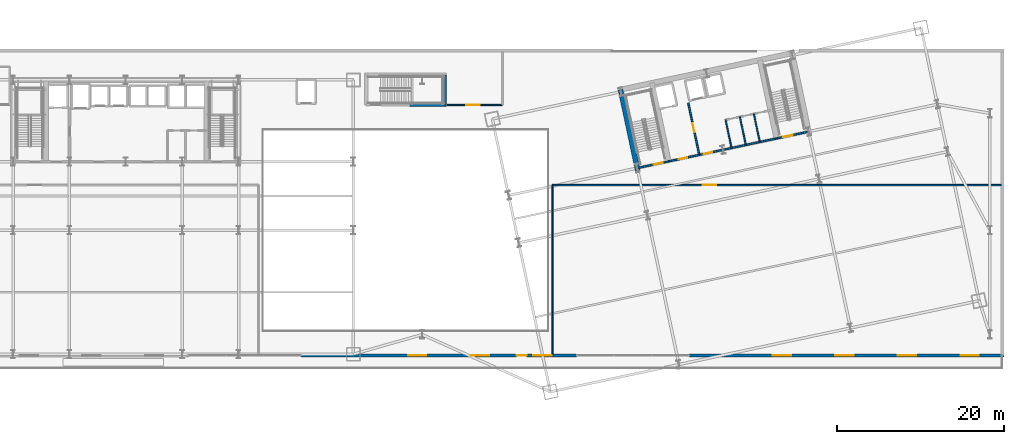
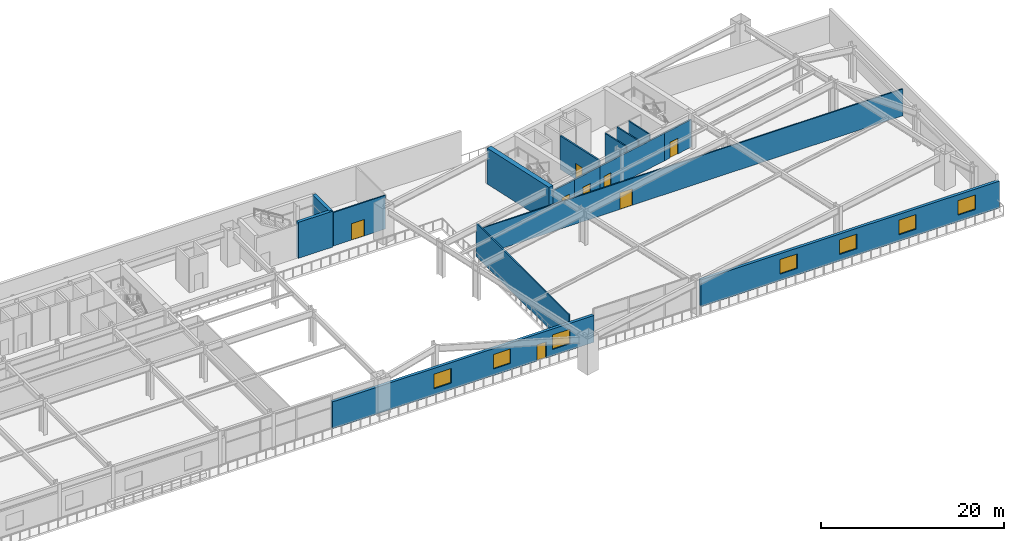
# One storey, part 14 of 28: 16 walls, 8 doors, 7 windows, 15 openings.
"""IFC4 building model written with IfcOpenShell, lengths in metres."""

from ifc_helpers import new_model, si_unit, direction, frame, frame_2d, origin, place, context, subcontext, project, spatial, rectangle, extrude, material, layer, layer_set, type_object, element, fill, save


model = new_model("IFC4")

# Units and contexts
model_context = context("Model", 3, precision=1e-05, world=origin(), true_north=direction((0.0, 1.0)))
body_context = subcontext(model_context, "Body", "Model", "MODEL_VIEW")
ifc_project = project(units=[si_unit("LENGTHUNIT", "METRE"), si_unit("AREAUNIT", "SQUARE_METRE"), si_unit("VOLUMEUNIT", "CUBIC_METRE"), si_unit("PLANEANGLEUNIT", "RADIAN"), si_unit("MASSUNIT", "GRAM", prefix="KILO")], contexts=[model_context])

# Site, building, storey
site_placement = place(None, origin())
site = spatial("IfcSite", under=ifc_project, at=site_placement, CompositionType="ELEMENT")
building_placement = place(site_placement, origin())
building = spatial("IfcBuilding", under=site, at=building_placement, Name="Haevon Station Towers", CompositionType="ELEMENT")
storey_placement = place(building_placement, frame((0.0, 0.0, 10.800048828125)))
storey = spatial("IfcBuildingStorey", under=building, at=storey_placement, Name="L02", CompositionType="ELEMENT", Elevation=10.800048828125)

# Wall, opening, door
ifc_material_1 = material(Name="Gypsum board on steel stud", Category="steel")
ifc_layer_1 = layer(ifc_material_1, 0.199951171875)
ifc_layer_set_1 = layer_set([ifc_layer_1], Name="Gypsum board on steel stud")
wall_type_1 = type_object("IfcWallType", Name="WL-COR200", PredefinedType="PARTITIONING", material=ifc_layer_set_1)
wall_1_placement = place(storey_placement, frame((98.75244140625, 37.4423828125, 0.0), z_axis=(0.0, 0.0, 1.0), x_axis=(0.978143537786, 0.207930804564, 0.0)))
wall_1 = element("IfcWall", 1, at=wall_1_placement, inside=storey, type_object=wall_type_1, Name="WL-ST-ST3-L02", PredefinedType="PARTITIONING", context=body_context, shape_type="SweptSolid", body=[
    extrude(rectangle(XDim=3.85009765625, YDim=0.199951171875, at=frame_2d((1.925048828125, 0.0))), origin(), (0.0, 0.0, 1.0), 3.679931640625),
])
opening_1_placement = place(wall_1_placement, frame((2.0, 0.0, 0.0)))
opening_1 = element("IfcOpeningElement", 2, at=opening_1_placement, cuts=wall_1, Name="Opening DR-ST-ST3-L02", PredefinedType="OPENING", context=body_context, shape_type="SweptSolid", body=[
    extrude(rectangle(XDim=1.1201171875, YDim=2.10009765625, at=frame_2d((0.56005859375, 1.050048828125))), frame((0.0, 0.10986328125, 0.0), z_axis=(0.0, -1.0, 0.0), x_axis=(1.0, 0.0, 0.0)), (0.0, 0.0, 1.0), 0.219970703125),
])
ifc_material_2 = material(Name="Engineered oak timber", Category="wood")
door_type_1 = type_object("IfcDoorType", Name="DR-ST-1120", OperationType="NOTDEFINED", PredefinedType="DOOR", material=ifc_material_2)
door_1_placement = place(opening_1_placement, origin())
door_1 = element("IfcDoor", 3, at=door_1_placement, inside=storey, type_object=door_type_1, Name="L02 Escape Stair ST3 Fire Door", OperationType="SINGLE_SWING_RIGHT", OverallHeight=2.10009765625, OverallWidth=1.1201171875, PredefinedType="DOOR", context=body_context, shape_type="SweptSolid", body=[
    extrude(rectangle(XDim=1.1201171875, YDim=2.10009765625, at=frame_2d((0.56005859375, 1.050048828125))), frame((0.0, 0.02490234375, 0.0), z_axis=(0.0, -1.0, 0.0), x_axis=(1.0, 0.0, 0.0)), (0.0, 0.0, 1.0), 0.050048828125),
])
fill(opening_1, door_1)

wall_2_placement = place(storey_placement, frame((115.4296875, 40.9873046875, 0.0), z_axis=(0.0, 0.0, 1.0), x_axis=(0.978146596989, 0.207916413008, 0.0)))
wall_2 = element("IfcWall", 4, at=wall_2_placement, inside=storey, type_object=wall_type_1, Name="WL-ST-ST4-L02", PredefinedType="PARTITIONING", context=body_context, shape_type="SweptSolid", body=[
    extrude(rectangle(XDim=3.9501953125, YDim=0.199951171875, at=frame_2d((1.97509765625, 0.0))), origin(), (0.0, 0.0, 1.0), 3.679931640625),
])
opening_2_placement = place(wall_2_placement, frame((0.85009765625, 0.0, 0.0)))
opening_2 = element("IfcOpeningElement", 5, at=opening_2_placement, cuts=wall_2, Name="Opening DR-ST-ST4-L02", PredefinedType="OPENING", context=body_context, shape_type="SweptSolid", body=[
    extrude(rectangle(XDim=1.1201171875, YDim=2.10009765625, at=frame_2d((0.56005859375, 1.050048828125))), frame((0.0, 0.10986328125, 0.0), z_axis=(0.0, -1.0, 0.0), x_axis=(1.0, 0.0, 0.0)), (0.0, 0.0, 1.0), 0.219970703125),
])
door_2_placement = place(opening_2_placement, origin())
door_2 = element("IfcDoor", 6, at=door_2_placement, inside=storey, type_object=door_type_1, Name="L02 Escape Stair ST4 Fire Door", OperationType="SINGLE_SWING_LEFT", OverallHeight=2.10009765625, OverallWidth=1.1201171875, PredefinedType="DOOR", context=body_context, shape_type="SweptSolid", body=[
    extrude(rectangle(XDim=1.1201171875, YDim=2.10009765625, at=frame_2d((0.56005859375, 1.050048828125))), frame((0.0, 0.02490234375, 0.0), z_axis=(0.0, -1.0, 0.0), x_axis=(1.0, 0.0, 0.0)), (0.0, 0.0, 1.0), 0.050048828125),
])
fill(opening_2, door_2)

wall_3_placement = place(storey_placement, frame((106.186279296875, 39.0224609375, 0.0), z_axis=(0.0, 0.0, 1.0), x_axis=(-0.207916691923, 0.978146537703, 0.0)))
wall_3 = element("IfcWall", 7, at=wall_3_placement, inside=storey, type_object=wall_type_1, Name="WL-T2FFL-L02-E", PredefinedType="PARTITIONING", context=body_context, shape_type="SweptSolid", body=[
    extrude(rectangle(XDim=6.35009765625, YDim=0.199951171875, at=frame_2d((3.175048828125, 0.0))), origin(), (0.0, 0.0, 1.0), 4.47998046875),
])
opening_3_placement = place(wall_3_placement, frame((2.800048828125, 0.0, 0.0)))
opening_3 = element("IfcOpeningElement", 8, at=opening_3_placement, cuts=wall_3, Name="Opening DR-T2FFL-L02-E", PredefinedType="OPENING", context=body_context, shape_type="SweptSolid", body=[
    extrude(rectangle(XDim=1.050048828125, YDim=2.10009765625, at=frame_2d((0.52490234375, 1.050048828125))), frame((0.0, 0.10986328125, 0.0), z_axis=(0.0, -1.0, 0.0), x_axis=(1.0, 0.0, 0.0)), (0.0, 0.0, 1.0), 0.219970703125),
])
door_type_2 = type_object("IfcDoorType", Name="DR-FD60-1050", OperationType="NOTDEFINED", PredefinedType="DOOR", material=ifc_material_2)
door_3_placement = place(opening_3_placement, origin())
door_3 = element("IfcDoor", 9, at=door_3_placement, inside=storey, type_object=door_type_2, Name="L02 Tower 2 Firefighting Lift Lobby Door E", OperationType="SINGLE_SWING_RIGHT", OverallHeight=2.10009765625, OverallWidth=1.050048828125, PredefinedType="DOOR", context=body_context, shape_type="SweptSolid", body=[
    extrude(rectangle(XDim=1.050048828125, YDim=2.10009765625, at=frame_2d((0.52490234375, 1.050048828125))), frame((0.0, 0.02490234375, 0.0), z_axis=(0.0, -1.0, 0.0), x_axis=(1.0, 0.0, 0.0)), (0.0, 0.0, 1.0), 0.050048828125),
])
fill(opening_3, door_3)

wall_4_placement = place(storey_placement, frame((102.518310546875, 38.242919921875, 0.0), z_axis=(0.0, 0.0, 1.0), x_axis=(0.978153555683, 0.20788367301, 0.0)))
wall_4 = element("IfcWall", 10, at=wall_4_placement, inside=storey, type_object=wall_type_1, Name="WL-T2FFL-L02-S", PredefinedType="PARTITIONING", context=body_context, shape_type="SweptSolid", body=[
    extrude(rectangle(XDim=3.75, YDim=0.199951171875, at=frame_2d((1.875, 0.0))), origin(), (0.0, 0.0, 1.0), 3.679931640625),
])
opening_4_placement = place(wall_4_placement, frame((1.25, 0.0, 0.0)))
opening_4 = element("IfcOpeningElement", 11, at=opening_4_placement, cuts=wall_4, Name="Opening DR-T2FFL-L02-S", PredefinedType="OPENING", context=body_context, shape_type="SweptSolid", body=[
    extrude(rectangle(XDim=1.050048828125, YDim=2.10009765625, at=frame_2d((0.52490234375, 1.050048828125))), frame((0.0, 0.10986328125, 0.0), z_axis=(0.0, -1.0, 0.0), x_axis=(1.0, 0.0, 0.0)), (0.0, 0.0, 1.0), 0.219970703125),
])
door_4_placement = place(opening_4_placement, origin())
door_4 = element("IfcDoor", 12, at=door_4_placement, inside=storey, type_object=door_type_2, Name="L02 Tower 2 Firefighting Lift Lobby Door S", OperationType="SINGLE_SWING_LEFT", OverallHeight=2.10009765625, OverallWidth=1.050048828125, PredefinedType="DOOR", context=body_context, shape_type="SweptSolid", body=[
    extrude(rectangle(XDim=1.050048828125, YDim=2.10009765625, at=frame_2d((0.52490234375, 1.050048828125))), frame((0.0, 0.02490234375, 0.0), z_axis=(0.0, -1.0, 0.0), x_axis=(1.0, 0.0, 0.0)), (0.0, 0.0, 1.0), 0.050048828125),
])
fill(opening_4, door_4)

wall_5_placement = place(storey_placement, frame((106.186279296875, 39.0224609375, 0.0), z_axis=(0.0, 0.0, 1.0), x_axis=(0.978145519981, 0.20792147975, 0.0)))
wall_5 = element("IfcWall", 13, at=wall_5_placement, inside=storey, type_object=wall_type_1, Name="WL-T2CLB-L02", PredefinedType="PARTITIONING", context=body_context, shape_type="SweptSolid", body=[
    extrude(rectangle(XDim=9.449951171875, YDim=0.199951171875, at=frame_2d((4.72509765625, 0.0))), origin(), (0.0, 0.0, 1.0), 3.679931640625),
])
opening_5_placement = place(wall_5_placement, frame((0.550048828125, 0.0, 0.0)))
opening_5 = element("IfcOpeningElement", 14, at=opening_5_placement, cuts=wall_5, Name="Opening DR-T2CLB-L02-1", PredefinedType="OPENING", context=body_context, shape_type="SweptSolid", body=[
    extrude(rectangle(XDim=1.050048828125, YDim=2.10009765625, at=frame_2d((0.52490234375, 1.050048828125))), frame((0.0, 0.10986328125, 0.0), z_axis=(0.0, -1.0, 0.0), x_axis=(1.0, 0.0, 0.0)), (0.0, 0.0, 1.0), 0.219970703125),
])
door_5_placement = place(opening_5_placement, origin())
door_5 = element("IfcDoor", 15, at=door_5_placement, inside=storey, type_object=door_type_2, Name="L02 Tower 2 Core Lift Lobby Door 1", OperationType="SINGLE_SWING_RIGHT", OverallHeight=2.10009765625, OverallWidth=1.050048828125, PredefinedType="DOOR", context=body_context, shape_type="SweptSolid", body=[
    extrude(rectangle(XDim=1.050048828125, YDim=2.10009765625, at=frame_2d((0.52490234375, 1.050048828125))), frame((0.0, 0.02490234375, 0.0), z_axis=(0.0, -1.0, 0.0), x_axis=(1.0, 0.0, 0.0)), (0.0, 0.0, 1.0), 0.050048828125),
])
fill(opening_5, door_5)

# Walls
ifc_material_3 = material(Name="Concrete C60/75", Category="concrete")
ifc_layer_2 = layer(ifc_material_3, 0.39990234375)
ifc_layer_set_2 = layer_set([ifc_layer_2], Name="Concrete C60/75")
wall_type_2 = type_object("IfcWallType", Name="WL-CR400", PredefinedType="SHEAR", material=ifc_layer_set_2)
wall_6_placement = place(storey_placement, frame((75.699951171875, 45.0, 0.0), z_axis=(0.0, 0.0, 1.0), x_axis=(0.0, 1.0, 0.0)))
element("IfcWall", 16, at=wall_6_placement, inside=storey, type_object=wall_type_2, Name="WL-ST6CR-L02-E", PredefinedType="SHEAR", context=body_context, shape_type="SweptSolid", body=[
    extrude(rectangle(XDim=3.60009765625, YDim=0.39990234375, at=frame_2d((1.800048828125, 0.0))), origin(), (0.0, 0.0, 1.0), 4.800048828125),
])
wall_7_placement = place(storey_placement, frame((71.5, 45.0, 0.0), z_axis=(0.0, 0.0, 1.0), x_axis=(1.0, 0.0, 0.0)))
element("IfcWall", 17, at=wall_7_placement, inside=storey, type_object=wall_type_2, Name="WL-ST6CR-L02-S2", PredefinedType="SHEAR", context=body_context, shape_type="SweptSolid", body=[
    extrude(rectangle(XDim=4.39990234375, YDim=0.39990234375, at=frame_2d((2.199951171875, 0.0))), origin(), (0.0, 0.0, 1.0), 4.800048828125),
])
ifc_layer_3 = layer(ifc_material_3, 0.60009765625)
ifc_layer_set_3 = layer_set([ifc_layer_3], Name="Concrete C60/75")
wall_type_3 = type_object("IfcWallType", Name="WL-CR600", PredefinedType="SHEAR", material=ifc_layer_set_3)
wall_8_placement = place(storey_placement, frame((98.8603515625, 36.933837890625, 0.0), z_axis=(0.0, 0.0, 1.0), x_axis=(-0.20790924889, 0.978148119778, 0.0)))
element("IfcWall", 18, at=wall_8_placement, inside=storey, type_object=wall_type_3, Name="WL-T2CR-L02-W", PredefinedType="SHEAR", context=body_context, shape_type="SweptSolid", body=[
    extrude(rectangle(XDim=10.119873046875, YDim=0.60009765625, at=frame_2d((5.06005859375, 0.0))), origin(), (0.0, 0.0, 1.0), 4.800048828125),
])

# Wall, openings, windows
ifc_material_4 = material(Name="Precast concrete C45/55", Category="concrete")
ifc_layer_4 = layer(ifc_material_4, 0.360107421875)
ifc_layer_set_4 = layer_set([ifc_layer_4], Name="Precast concrete C45/55")
wall_type_4 = type_object("IfcWallType", Name="WL-EXT-POD360", PredefinedType="SOLIDWALL", material=ifc_layer_set_4)
wall_9_placement = place(storey_placement, frame((142.679931640625, 15.0, 0.0), z_axis=(0.0, 0.0, 1.0), x_axis=(-1.0, 0.0, 0.0)))
wall_9 = element("IfcWall", 19, at=wall_9_placement, inside=storey, type_object=wall_type_4, Name="WL-POD-L02-S1", PredefinedType="SOLIDWALL", context=body_context, shape_type="SweptSolid", body=[
    extrude(rectangle(XDim=37.679931640625, YDim=0.360107421875, at=frame_2d((18.83984375, 0.0))), origin(), (0.0, 0.0, 1.0), 3.579833984375),
])
opening_6_placement = place(wall_9_placement, frame((3.0, 0.0, 0.85009765625)))
opening_6 = element("IfcOpeningElement", 20, at=opening_6_placement, cuts=wall_9, Name="Opening WN-P220", PredefinedType="OPENING", context=body_context, shape_type="SweptSolid", body=[
    extrude(rectangle(XDim=2.199951171875, YDim=1.949951171875, at=frame_2d((1.10009765625, 0.97509765625))), frame((0.0, 0.18994140625, 0.0), z_axis=(0.0, -1.0, 0.0), x_axis=(1.0, 0.0, 0.0)), (0.0, 0.0, 1.0), 0.380126953125),
])
opening_7_placement = place(wall_9_placement, frame((10.5, 0.0, 0.85009765625)))
opening_7 = element("IfcOpeningElement", 21, at=opening_7_placement, cuts=wall_9, Name="Opening WN-P220", PredefinedType="OPENING", context=body_context, shape_type="SweptSolid", body=[
    extrude(rectangle(XDim=2.199951171875, YDim=1.949951171875, at=frame_2d((1.10009765625, 0.97509765625))), frame((0.0, 0.18994140625, 0.0), z_axis=(0.0, -1.0, 0.0), x_axis=(1.0, 0.0, 0.0)), (0.0, 0.0, 1.0), 0.380126953125),
])
opening_8_placement = place(wall_9_placement, frame((18.0, 0.0, 0.85009765625)))
opening_8 = element("IfcOpeningElement", 22, at=opening_8_placement, cuts=wall_9, Name="Opening WN-P220", PredefinedType="OPENING", context=body_context, shape_type="SweptSolid", body=[
    extrude(rectangle(XDim=2.199951171875, YDim=1.949951171875, at=frame_2d((1.10009765625, 0.97509765625))), frame((0.0, 0.18994140625, 0.0), z_axis=(0.0, -1.0, 0.0), x_axis=(1.0, 0.0, 0.0)), (0.0, 0.0, 1.0), 0.380126953125),
])
opening_9_placement = place(wall_9_placement, frame((25.5, 0.0, 0.85009765625)))
opening_9 = element("IfcOpeningElement", 23, at=opening_9_placement, cuts=wall_9, Name="Opening WN-P220", PredefinedType="OPENING", context=body_context, shape_type="SweptSolid", body=[
    extrude(rectangle(XDim=2.199951171875, YDim=1.949951171875, at=frame_2d((1.10009765625, 0.97509765625))), frame((0.0, 0.18994140625, 0.0), z_axis=(0.0, -1.0, 0.0), x_axis=(1.0, 0.0, 0.0)), (0.0, 0.0, 1.0), 0.380126953125),
])
ifc_material_5 = material(Name="Low-E triple glazing in thermally broken aluminium", Category="aluminium")
window_type = type_object("IfcWindowType", Name="WN-P220", PartitioningType="SINGLE_PANEL", PredefinedType="WINDOW", material=ifc_material_5)
window_1_placement = place(opening_6_placement, origin())
window_1 = element("IfcWindow", 24, at=window_1_placement, inside=storey, type_object=window_type, Name="WN-POD-L02-S1-01", OverallHeight=1.949951171875, OverallWidth=2.199951171875, PartitioningType="SINGLE_PANEL", PredefinedType="WINDOW", context=body_context, shape_type="SweptSolid", body=[
    extrude(rectangle(XDim=2.199951171875, YDim=1.949951171875, at=frame_2d((1.10009765625, 0.97509765625))), frame((0.0, 0.030029296875, 0.0), z_axis=(0.0, -1.0, 0.0), x_axis=(1.0, 0.0, 0.0)), (0.0, 0.0, 1.0), 0.06005859375),
])
fill(opening_6, window_1)
window_2_placement = place(opening_7_placement, origin())
window_2 = element("IfcWindow", 25, at=window_2_placement, inside=storey, type_object=window_type, Name="WN-POD-L02-S1-02", OverallHeight=1.949951171875, OverallWidth=2.199951171875, PartitioningType="SINGLE_PANEL", PredefinedType="WINDOW", context=body_context, shape_type="SweptSolid", body=[
    extrude(rectangle(XDim=2.199951171875, YDim=1.949951171875, at=frame_2d((1.10009765625, 0.97509765625))), frame((0.0, 0.030029296875, 0.0), z_axis=(0.0, -1.0, 0.0), x_axis=(1.0, 0.0, 0.0)), (0.0, 0.0, 1.0), 0.06005859375),
])
fill(opening_7, window_2)
window_3_placement = place(opening_8_placement, origin())
window_3 = element("IfcWindow", 26, at=window_3_placement, inside=storey, type_object=window_type, Name="WN-POD-L02-S1-03", OverallHeight=1.949951171875, OverallWidth=2.199951171875, PartitioningType="SINGLE_PANEL", PredefinedType="WINDOW", context=body_context, shape_type="SweptSolid", body=[
    extrude(rectangle(XDim=2.199951171875, YDim=1.949951171875, at=frame_2d((1.10009765625, 0.97509765625))), frame((0.0, 0.030029296875, 0.0), z_axis=(0.0, -1.0, 0.0), x_axis=(1.0, 0.0, 0.0)), (0.0, 0.0, 1.0), 0.06005859375),
])
fill(opening_8, window_3)
window_4_placement = place(opening_9_placement, origin())
window_4 = element("IfcWindow", 27, at=window_4_placement, inside=storey, type_object=window_type, Name="WN-POD-L02-S1-04", OverallHeight=1.949951171875, OverallWidth=2.199951171875, PartitioningType="SINGLE_PANEL", PredefinedType="WINDOW", context=body_context, shape_type="SweptSolid", body=[
    extrude(rectangle(XDim=2.199951171875, YDim=1.949951171875, at=frame_2d((1.10009765625, 0.97509765625))), frame((0.0, 0.030029296875, 0.0), z_axis=(0.0, -1.0, 0.0), x_axis=(1.0, 0.0, 0.0)), (0.0, 0.0, 1.0), 0.06005859375),
])
fill(opening_9, window_4)

# Wall, openings, door, windows
wall_10_placement = place(storey_placement, frame((91.5, 15.0, 0.0), z_axis=(0.0, 0.0, 1.0), x_axis=(-1.0, 0.0, 0.0)))
wall_10 = element("IfcWall", 28, at=wall_10_placement, inside=storey, type_object=wall_type_4, Name="WL-POD-L02-S2", PredefinedType="SOLIDWALL", context=body_context, shape_type="SweptSolid", body=[
    extrude(rectangle(XDim=33.0, YDim=0.360107421875, at=frame_2d((16.5, 0.0))), origin(), (0.0, 0.0, 1.0), 3.579833984375),
])
opening_10_placement = place(wall_10_placement, frame((3.0, 0.0, 0.85009765625)))
opening_10 = element("IfcOpeningElement", 29, at=opening_10_placement, cuts=wall_10, Name="Opening WN-P220", PredefinedType="OPENING", context=body_context, shape_type="SweptSolid", body=[
    extrude(rectangle(XDim=2.199951171875, YDim=1.949951171875, at=frame_2d((1.10009765625, 0.97509765625))), frame((0.0, 0.18994140625, 0.0), z_axis=(0.0, -1.0, 0.0), x_axis=(1.0, 0.0, 0.0)), (0.0, 0.0, 1.0), 0.380126953125),
])
opening_11_placement = place(wall_10_placement, frame((10.5, 0.0, 0.85009765625)))
opening_11 = element("IfcOpeningElement", 30, at=opening_11_placement, cuts=wall_10, Name="Opening WN-P220", PredefinedType="OPENING", context=body_context, shape_type="SweptSolid", body=[
    extrude(rectangle(XDim=2.199951171875, YDim=1.949951171875, at=frame_2d((1.10009765625, 0.97509765625))), frame((0.0, 0.18994140625, 0.0), z_axis=(0.0, -1.0, 0.0), x_axis=(1.0, 0.0, 0.0)), (0.0, 0.0, 1.0), 0.380126953125),
])
opening_12_placement = place(wall_10_placement, frame((18.0, 0.0, 0.85009765625)))
opening_12 = element("IfcOpeningElement", 31, at=opening_12_placement, cuts=wall_10, Name="Opening WN-P220", PredefinedType="OPENING", context=body_context, shape_type="SweptSolid", body=[
    extrude(rectangle(XDim=2.199951171875, YDim=1.949951171875, at=frame_2d((1.10009765625, 0.97509765625))), frame((0.0, 0.18994140625, 0.0), z_axis=(0.0, -1.0, 0.0), x_axis=(1.0, 0.0, 0.0)), (0.0, 0.0, 1.0), 0.380126953125),
])
opening_13_placement = place(wall_10_placement, frame((6.0, 0.0, 0.0)))
opening_13 = element("IfcOpeningElement", 32, at=opening_13_placement, cuts=wall_10, Name="Opening DR-POD-TERR-L02", PredefinedType="OPENING", context=body_context, shape_type="SweptSolid", body=[
    extrude(rectangle(XDim=1.199951171875, YDim=2.14990234375, at=frame_2d((0.60009765625, 1.074951171875))), frame((0.0, 0.18994140625, 0.0), z_axis=(0.0, -1.0, 0.0), x_axis=(1.0, 0.0, 0.0)), (0.0, 0.0, 1.0), 0.380126953125),
])
ifc_material_6 = material(Name="Thermally broken anodised aluminium and laminated safety glass", Category="aluminium")
door_type_3 = type_object("IfcDoorType", Name="DR-BALC-1200", OperationType="NOTDEFINED", PredefinedType="DOOR", material=ifc_material_6)
door_6_placement = place(opening_13_placement, origin())
door_6 = element("IfcDoor", 33, at=door_6_placement, inside=storey, type_object=door_type_3, Name="L02 Podium Terrace Access Door", OperationType="SINGLE_SWING_LEFT", OverallHeight=2.14990234375, OverallWidth=1.199951171875, PredefinedType="DOOR", context=body_context, shape_type="SweptSolid", body=[
    extrude(rectangle(XDim=1.199951171875, YDim=2.14990234375, at=frame_2d((0.60009765625, 1.074951171875))), frame((0.0, 0.02490234375, 0.0), z_axis=(0.0, -1.0, 0.0), x_axis=(1.0, 0.0, 0.0)), (0.0, 0.0, 1.0), 0.050048828125),
])
fill(opening_13, door_6)
window_5_placement = place(opening_10_placement, origin())
window_5 = element("IfcWindow", 34, at=window_5_placement, inside=storey, type_object=window_type, Name="WN-POD-L02-S2-01", OverallHeight=1.949951171875, OverallWidth=2.199951171875, PartitioningType="SINGLE_PANEL", PredefinedType="WINDOW", context=body_context, shape_type="SweptSolid", body=[
    extrude(rectangle(XDim=2.199951171875, YDim=1.949951171875, at=frame_2d((1.10009765625, 0.97509765625))), frame((0.0, 0.030029296875, 0.0), z_axis=(0.0, -1.0, 0.0), x_axis=(1.0, 0.0, 0.0)), (0.0, 0.0, 1.0), 0.06005859375),
])
fill(opening_10, window_5)
window_6_placement = place(opening_11_placement, origin())
window_6 = element("IfcWindow", 35, at=window_6_placement, inside=storey, type_object=window_type, Name="WN-POD-L02-S2-02", OverallHeight=1.949951171875, OverallWidth=2.199951171875, PartitioningType="SINGLE_PANEL", PredefinedType="WINDOW", context=body_context, shape_type="SweptSolid", body=[
    extrude(rectangle(XDim=2.199951171875, YDim=1.949951171875, at=frame_2d((1.10009765625, 0.97509765625))), frame((0.0, 0.030029296875, 0.0), z_axis=(0.0, -1.0, 0.0), x_axis=(1.0, 0.0, 0.0)), (0.0, 0.0, 1.0), 0.06005859375),
])
fill(opening_11, window_6)
window_7_placement = place(opening_12_placement, origin())
window_7 = element("IfcWindow", 36, at=window_7_placement, inside=storey, type_object=window_type, Name="WN-POD-L02-S2-03", OverallHeight=1.949951171875, OverallWidth=2.199951171875, PartitioningType="SINGLE_PANEL", PredefinedType="WINDOW", context=body_context, shape_type="SweptSolid", body=[
    extrude(rectangle(XDim=2.199951171875, YDim=1.949951171875, at=frame_2d((1.10009765625, 0.97509765625))), frame((0.0, 0.030029296875, 0.0), z_axis=(0.0, -1.0, 0.0), x_axis=(1.0, 0.0, 0.0)), (0.0, 0.0, 1.0), 0.06005859375),
])
fill(opening_12, window_7)

# Wall
ifc_layer_5 = layer(ifc_material_1, 0.159912109375)
ifc_layer_set_5 = layer_set([ifc_layer_5], Name="Gypsum board on steel stud")
wall_type_5 = type_object("IfcWallType", Name="WL-PRT160", PredefinedType="PARTITIONING", material=ifc_layer_set_5)
wall_11_placement = place(storey_placement, frame((88.60009765625, 15.14990234375, 0.0), z_axis=(0.0, 0.0, 1.0), x_axis=(0.0, 1.0, 0.0)))
element("IfcWall", 37, at=wall_11_placement, inside=storey, type_object=wall_type_5, Name="WL-L02-EAST", PredefinedType="PARTITIONING", context=body_context, shape_type="SweptSolid", body=[
    extrude(rectangle(XDim=20.25, YDim=0.159912109375, at=frame_2d((10.125, 0.0))), origin(), (0.0, 0.0, 1.0), 4.47998046875),
])

# Wall, opening, door
wall_12_placement = place(storey_placement, frame((88.60009765625, 35.39990234375, 0.0), z_axis=(0.0, 0.0, 1.0), x_axis=(1.0, 0.0, 0.0)))
wall_12 = element("IfcWall", 38, at=wall_12_placement, inside=storey, type_object=wall_type_5, Name="WL-L02-EASTN", PredefinedType="PARTITIONING", context=body_context, shape_type="SweptSolid", body=[
    extrude(rectangle(XDim=53.75, YDim=0.159912109375, at=frame_2d((26.875, 0.0))), origin(), (0.0, 0.0, 1.0), 3.579833984375),
])
opening_14_placement = place(wall_12_placement, frame((18.0, 0.0, 0.0)))
opening_14 = element("IfcOpeningElement", 39, at=opening_14_placement, cuts=wall_12, Name="Opening DR-WL-L02-EASTN-1", PredefinedType="OPENING", context=body_context, shape_type="SweptSolid", body=[
    extrude(rectangle(XDim=1.60009765625, YDim=2.199951171875, at=frame_2d((0.800048828125, 1.10009765625))), frame((0.0, 0.08984375, 0.0), z_axis=(0.0, -1.0, 0.0), x_axis=(1.0, 0.0, 0.0)), (0.0, 0.0, 1.0), 0.179931640625),
])
door_type_4 = type_object("IfcDoorType", Name="DR-POD-1600", OperationType="NOTDEFINED", PredefinedType="DOOR", material=ifc_material_2)
door_7_placement = place(opening_14_placement, origin())
door_7 = element("IfcDoor", 40, at=door_7_placement, inside=storey, type_object=door_type_4, Name="L02 Interior Door WL-L02-EASTN-1", OperationType="DOUBLE_DOOR_SINGLE_SWING", OverallHeight=2.199951171875, OverallWidth=1.60009765625, PredefinedType="DOOR", context=body_context, shape_type="SweptSolid", body=[
    extrude(rectangle(XDim=1.60009765625, YDim=2.199951171875, at=frame_2d((0.800048828125, 1.10009765625))), frame((0.0, 0.02490234375, 0.0), z_axis=(0.0, -1.0, 0.0), x_axis=(1.0, 0.0, 0.0)), (0.0, 0.0, 1.0), 0.050048828125),
])
fill(opening_14, door_7)

wall_13_placement = place(storey_placement, frame((76.0, 45.0, 0.0), z_axis=(0.0, 0.0, 1.0), x_axis=(1.0, 0.0, 0.0)))
wall_13 = element("IfcWall", 41, at=wall_13_placement, inside=storey, type_object=wall_type_5, Name="WL-L02-NORTH", PredefinedType="PARTITIONING", context=body_context, shape_type="SweptSolid", body=[
    extrude(rectangle(XDim=6.60009765625, YDim=0.159912109375, at=frame_2d((3.300048828125, 0.0))), origin(), (0.0, 0.0, 1.0), 4.47998046875),
])
opening_15_placement = place(wall_13_placement, frame((2.300048828125, 0.0, 0.0)))
opening_15 = element("IfcOpeningElement", 42, at=opening_15_placement, cuts=wall_13, Name="Opening DR-WL-L02-NORTH-1", PredefinedType="OPENING", context=body_context, shape_type="SweptSolid", body=[
    extrude(rectangle(XDim=1.60009765625, YDim=2.199951171875, at=frame_2d((0.800048828125, 1.10009765625))), frame((0.0, 0.08984375, 0.0), z_axis=(0.0, -1.0, 0.0), x_axis=(1.0, 0.0, 0.0)), (0.0, 0.0, 1.0), 0.179931640625),
])
door_8_placement = place(opening_15_placement, origin())
door_8 = element("IfcDoor", 43, at=door_8_placement, inside=storey, type_object=door_type_4, Name="L02 Interior Door WL-L02-NORTH-1", OperationType="DOUBLE_DOOR_SINGLE_SWING", OverallHeight=2.199951171875, OverallWidth=1.60009765625, PredefinedType="DOOR", context=body_context, shape_type="SweptSolid", body=[
    extrude(rectangle(XDim=1.60009765625, YDim=2.199951171875, at=frame_2d((0.800048828125, 1.10009765625))), frame((0.0, 0.02490234375, 0.0), z_axis=(0.0, -1.0, 0.0), x_axis=(1.0, 0.0, 0.0)), (0.0, 0.0, 1.0), 0.050048828125),
])
fill(opening_15, door_8)

# Walls
for number, where, z_axis, x_axis, name in (
    (44, (110.050048828125, 39.84375, 0.0), (0.0, 0.0, 1.0), (-0.207900225061, 0.978150037785, 0.0), "WL-T2CW-L02-01"),
    (45, (111.76171875, 40.20751953125, 0.0), (0.0, 0.0, 1.0), (-0.207900225061, 0.978150037785, 0.0), "WL-T2CW-L02-02"),
):
    element("IfcWall", number, at=place(storey_placement, frame(where, z_axis=z_axis, x_axis=x_axis)), inside=storey, type_object=wall_type_5, Name=name, PredefinedType="PARTITIONING", context=body_context, shape_type="SweptSolid", body=[
        extrude(rectangle(XDim=3.4501953125, YDim=0.159912109375, at=frame_2d((1.72509765625, 0.0))), origin(), (0.0, 0.0, 1.0), 4.47998046875),
    ])
wall_14_placement = place(storey_placement, frame((113.434326171875, 40.563232421875, 0.0), z_axis=(0.0, 0.0, 1.0), x_axis=(-0.207914616127, 0.978146978935, 0.0)))
element("IfcWall", 46, at=wall_14_placement, inside=storey, type_object=wall_type_5, Name="WL-T2CW-L02-03", PredefinedType="PARTITIONING", context=body_context, shape_type="SweptSolid", body=[
    extrude(rectangle(XDim=3.449951171875, YDim=0.159912109375, at=frame_2d((1.72509765625, 0.0))), origin(), (0.0, 0.0, 1.0), 4.47998046875),
])

save(model, "model.ifc")
